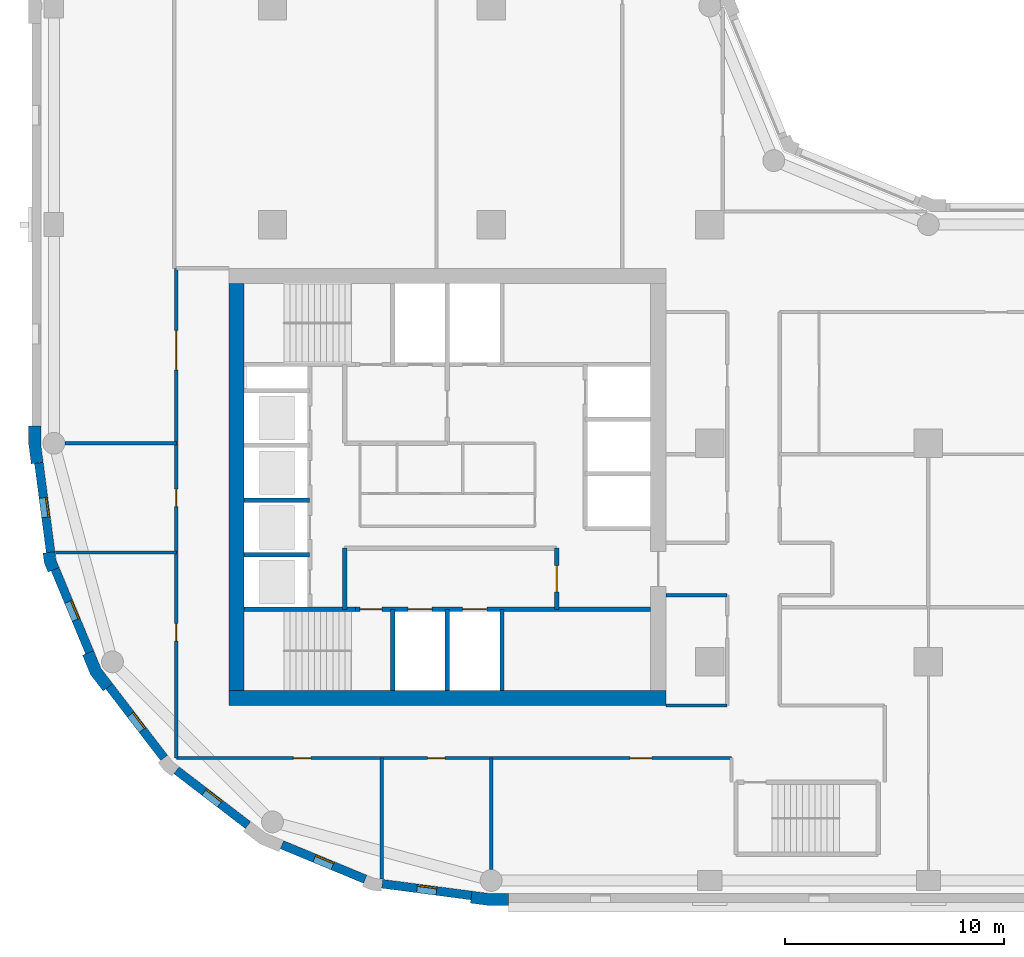
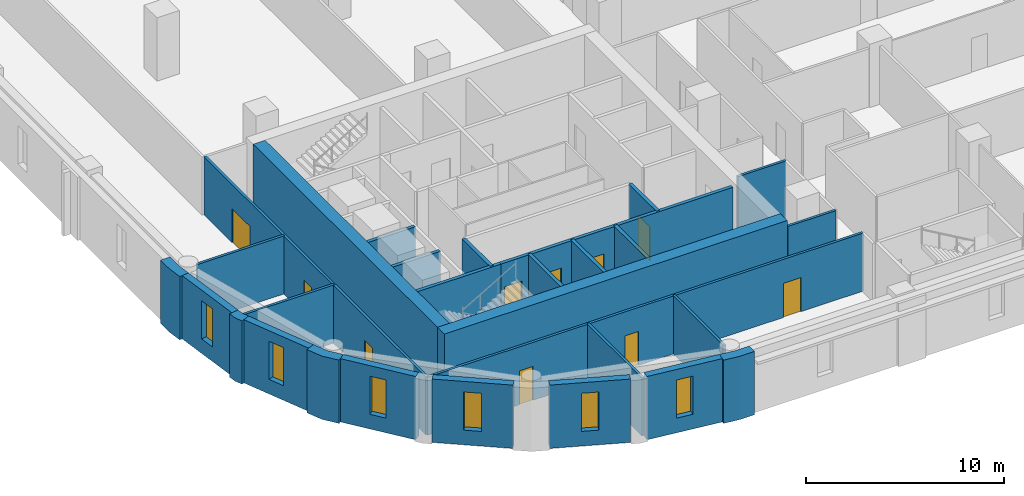
# One storey, part 2 of 9: 29 walls, 10 doors, 6 windows, 16 openings.
"""IFC4 building model written with IfcOpenShell, lengths in metres."""

from ifc_helpers import new_model, si_unit, direction, frame, frame_2d, origin, place, context, subcontext, project, spatial, polyline, rectangle, outline, extrude, material, layer, layer_set, type_object, element, fill, save


model = new_model("IFC4")

# Units and contexts
model_context = context("Model", 3, precision=1e-05, world=origin(), true_north=direction((0.0, 1.0)))
body_context = subcontext(model_context, "Body", "Model", "MODEL_VIEW")
ifc_project = project(units=[si_unit("LENGTHUNIT", "METRE"), si_unit("AREAUNIT", "SQUARE_METRE"), si_unit("VOLUMEUNIT", "CUBIC_METRE"), si_unit("PLANEANGLEUNIT", "RADIAN"), si_unit("MASSUNIT", "GRAM", prefix="KILO")], contexts=[model_context])

# Site, building, storey
site_placement = place(None, origin())
site = spatial("IfcSite", under=ifc_project, at=site_placement, CompositionType="ELEMENT")
building_placement = place(site_placement, origin())
building = spatial("IfcBuilding", under=site, at=building_placement, Name="Qaws Garden Tower", CompositionType="ELEMENT")
storey_placement = place(building_placement, frame((0.0, 0.0, 225.300048828125)))
storey = spatial("IfcBuildingStorey", under=building, at=storey_placement, Name="L55", CompositionType="ELEMENT", Elevation=225.300048828125)

# Wall, opening, window
ifc_material_1 = material(Name="Clay facing brick masonry", Category="masonry")
ifc_layer_1 = layer(ifc_material_1, 0.39990234375)
ifc_layer_set_1 = layer_set([ifc_layer_1], Name="Clay facing brick masonry")
wall_type_1 = type_object("IfcWallType", Name="Brick infill wall 400", PredefinedType="SOLIDWALL", material=ifc_layer_set_1)
wall_1_placement = place(storey_placement, frame((-0.688720703125, 19.102294921875, 0.0), z_axis=(0.0, 0.0, 1.0), x_axis=(0.130514280502, -0.991446429508, 0.0)))
wall_1 = element("IfcWall", 1, at=wall_1_placement, inside=storey, type_object=wall_type_1, Name="E-L55-infill-25", PredefinedType="SOLIDWALL", context=body_context, shape_type="SweptSolid", body=[
    extrude(rectangle(XDim=4.120849609375, YDim=0.39990234375, at=frame_2d((2.060546875, 0.0))), origin(), (0.0, 0.0, 1.0), 3.89990234375),
])
opening_1_placement = place(wall_1_placement, frame((1.610595703125, 0.0, 0.89990234375)))
opening_1 = element("IfcOpeningElement", 2, at=opening_1_placement, cuts=wall_1, Name="Opening W09", PredefinedType="OPENING", context=body_context, shape_type="SweptSolid", body=[
    extrude(rectangle(XDim=0.89990234375, YDim=2.35009765625, at=frame_2d((0.449951171875, 1.175048828125))), frame((0.0, 0.2099609375, 0.0), z_axis=(0.0, -1.0, 0.0), x_axis=(1.0, 0.0, 0.0)), (0.0, 0.0, 1.0), 0.419921875),
])
ifc_material_2 = material(Name="Aluminium framed window, clear glazing", Category="aluminium")
window_type = type_object("IfcWindowType", Name="Slit window 900 x 2350", PartitioningType="SINGLE_PANEL", PredefinedType="WINDOW", material=ifc_material_2)
window_1_placement = place(opening_1_placement, origin())
window_1 = element("IfcWindow", 3, at=window_1_placement, inside=storey, type_object=window_type, Name="E-L55-window-25-0", OverallHeight=2.35009765625, OverallWidth=0.89990234375, PartitioningType="SINGLE_PANEL", PredefinedType="WINDOW", context=body_context, shape_type="SweptSolid", body=[
    extrude(rectangle(XDim=0.89990234375, YDim=2.35009765625, at=frame_2d((0.449951171875, 1.175048828125))), frame((0.0, 0.159912109375, 0.0), z_axis=(0.0, -1.0, 0.0), x_axis=(1.0, 0.0, 0.0)), (0.0, 0.0, 1.0), 0.06005859375),
])
fill(opening_1, window_1)

wall_2_placement = place(storey_placement, frame((0.05712890625, 14.240234375, 0.0), z_axis=(0.0, 0.0, 1.0), x_axis=(0.382721546029, -0.923863744394, 0.0)))
wall_2 = element("IfcWall", 4, at=wall_2_placement, inside=storey, type_object=wall_type_1, Name="E-L55-infill-26", PredefinedType="SOLIDWALL", context=body_context, shape_type="SweptSolid", body=[
    extrude(rectangle(XDim=4.120849609375, YDim=0.39990234375, at=frame_2d((2.060546875, 0.0))), origin(), (0.0, 0.0, 1.0), 3.89990234375),
])
opening_2_placement = place(wall_2_placement, frame((1.610595703125, 0.0, 0.89990234375)))
opening_2 = element("IfcOpeningElement", 5, at=opening_2_placement, cuts=wall_2, Name="Opening W09", PredefinedType="OPENING", context=body_context, shape_type="SweptSolid", body=[
    extrude(rectangle(XDim=0.89990234375, YDim=2.35009765625, at=frame_2d((0.449951171875, 1.175048828125))), frame((0.0, 0.2099609375, 0.0), z_axis=(0.0, -1.0, 0.0), x_axis=(1.0, 0.0, 0.0)), (0.0, 0.0, 1.0), 0.419921875),
])
window_2_placement = place(opening_2_placement, origin())
window_2 = element("IfcWindow", 6, at=window_2_placement, inside=storey, type_object=window_type, Name="E-L55-window-26-0", OverallHeight=2.35009765625, OverallWidth=0.89990234375, PartitioningType="SINGLE_PANEL", PredefinedType="WINDOW", context=body_context, shape_type="SweptSolid", body=[
    extrude(rectangle(XDim=0.89990234375, YDim=2.35009765625, at=frame_2d((0.449951171875, 1.175048828125))), frame((0.0, 0.159912109375, 0.0), z_axis=(0.0, -1.0, 0.0), x_axis=(1.0, 0.0, 0.0)), (0.0, 0.0, 1.0), 0.06005859375),
])
fill(opening_2, window_2)

wall_3_placement = place(storey_placement, frame((2.53173828125, 8.87841796875, 0.0), z_axis=(0.0, 0.0, 1.0), x_axis=(0.608759824817, -0.793354571229, 0.0)))
wall_3 = element("IfcWall", 7, at=wall_3_placement, inside=storey, type_object=wall_type_1, Name="E-L55-infill-27", PredefinedType="SOLIDWALL", context=body_context, shape_type="SweptSolid", body=[
    extrude(rectangle(XDim=4.12109375, YDim=0.39990234375, at=frame_2d((2.060546875, 0.0))), origin(), (0.0, 0.0, 1.0), 3.89990234375),
])
opening_3_placement = place(wall_3_placement, frame((1.610595703125, 0.0, 0.89990234375)))
opening_3 = element("IfcOpeningElement", 8, at=opening_3_placement, cuts=wall_3, Name="Opening W09", PredefinedType="OPENING", context=body_context, shape_type="SweptSolid", body=[
    extrude(rectangle(XDim=0.89990234375, YDim=2.35009765625, at=frame_2d((0.449951171875, 1.175048828125))), frame((0.0, 0.2099609375, 0.0), z_axis=(0.0, -1.0, 0.0), x_axis=(1.0, 0.0, 0.0)), (0.0, 0.0, 1.0), 0.419921875),
])
window_3_placement = place(opening_3_placement, origin())
window_3 = element("IfcWindow", 9, at=window_3_placement, inside=storey, type_object=window_type, Name="E-L55-window-27-0", OverallHeight=2.35009765625, OverallWidth=0.89990234375, PartitioningType="SINGLE_PANEL", PredefinedType="WINDOW", context=body_context, shape_type="SweptSolid", body=[
    extrude(rectangle(XDim=0.89990234375, YDim=2.35009765625, at=frame_2d((0.449951171875, 1.175048828125))), frame((0.0, 0.159912109375, 0.0), z_axis=(0.0, -1.0, 0.0), x_axis=(1.0, 0.0, 0.0)), (0.0, 0.0, 1.0), 0.06005859375),
])
fill(opening_3, window_3)

wall_4_placement = place(storey_placement, frame((5.60888671875, 5.04052734375, 0.0), z_axis=(0.0, 0.0, 1.0), x_axis=(0.793354571229, -0.608759824817, 0.0)))
wall_4 = element("IfcWall", 10, at=wall_4_placement, inside=storey, type_object=wall_type_1, Name="E-L55-infill-28", PredefinedType="SOLIDWALL", context=body_context, shape_type="SweptSolid", body=[
    extrude(rectangle(XDim=4.12109375, YDim=0.39990234375, at=frame_2d((2.060546875, 0.0))), origin(), (0.0, 0.0, 1.0), 3.89990234375),
])
opening_4_placement = place(wall_4_placement, frame((1.610595703125, 0.0, 0.89990234375)))
opening_4 = element("IfcOpeningElement", 11, at=opening_4_placement, cuts=wall_4, Name="Opening W09", PredefinedType="OPENING", context=body_context, shape_type="SweptSolid", body=[
    extrude(rectangle(XDim=0.89990234375, YDim=2.35009765625, at=frame_2d((0.449951171875, 1.175048828125))), frame((0.0, 0.2099609375, 0.0), z_axis=(0.0, -1.0, 0.0), x_axis=(1.0, 0.0, 0.0)), (0.0, 0.0, 1.0), 0.419921875),
])
window_4_placement = place(opening_4_placement, origin())
window_4 = element("IfcWindow", 12, at=window_4_placement, inside=storey, type_object=window_type, Name="E-L55-window-28-0", OverallHeight=2.35009765625, OverallWidth=0.89990234375, PartitioningType="SINGLE_PANEL", PredefinedType="WINDOW", context=body_context, shape_type="SweptSolid", body=[
    extrude(rectangle(XDim=0.89990234375, YDim=2.35009765625, at=frame_2d((0.449951171875, 1.175048828125))), frame((0.0, 0.159912109375, 0.0), z_axis=(0.0, -1.0, 0.0), x_axis=(1.0, 0.0, 0.0)), (0.0, 0.0, 1.0), 0.06005859375),
])
fill(opening_4, window_4)

wall_5_placement = place(storey_placement, frame((10.43310546875, 1.63427734375, 0.0), z_axis=(0.0, 0.0, 1.0), x_axis=(0.923863744394, -0.382721546029, 0.0)))
wall_5 = element("IfcWall", 13, at=wall_5_placement, inside=storey, type_object=wall_type_1, Name="E-L55-infill-29", PredefinedType="SOLIDWALL", context=body_context, shape_type="SweptSolid", body=[
    extrude(rectangle(XDim=4.120849609375, YDim=0.39990234375, at=frame_2d((2.060546875, 0.0))), origin(), (0.0, 0.0, 1.0), 3.89990234375),
])
opening_5_placement = place(wall_5_placement, frame((1.610595703125, 0.0, 0.89990234375)))
opening_5 = element("IfcOpeningElement", 14, at=opening_5_placement, cuts=wall_5, Name="Opening W09", PredefinedType="OPENING", context=body_context, shape_type="SweptSolid", body=[
    extrude(rectangle(XDim=0.89990234375, YDim=2.35009765625, at=frame_2d((0.449951171875, 1.175048828125))), frame((0.0, 0.2099609375, 0.0), z_axis=(0.0, -1.0, 0.0), x_axis=(1.0, 0.0, 0.0)), (0.0, 0.0, 1.0), 0.419921875),
])
window_5_placement = place(opening_5_placement, origin())
window_5 = element("IfcWindow", 15, at=window_5_placement, inside=storey, type_object=window_type, Name="E-L55-window-29-0", OverallHeight=2.35009765625, OverallWidth=0.89990234375, PartitioningType="SINGLE_PANEL", PredefinedType="WINDOW", context=body_context, shape_type="SweptSolid", body=[
    extrude(rectangle(XDim=0.89990234375, YDim=2.35009765625, at=frame_2d((0.449951171875, 1.175048828125))), frame((0.0, 0.159912109375, 0.0), z_axis=(0.0, -1.0, 0.0), x_axis=(1.0, 0.0, 0.0)), (0.0, 0.0, 1.0), 0.06005859375),
])
fill(opening_5, window_5)

wall_6_placement = place(storey_placement, frame((15.0166015625, -0.15087890625, 0.0), z_axis=(0.0, 0.0, 1.0), x_axis=(0.991446429508, -0.130514280502, 0.0)))
wall_6 = element("IfcWall", 16, at=wall_6_placement, inside=storey, type_object=wall_type_1, Name="E-L55-infill-30", PredefinedType="SOLIDWALL", context=body_context, shape_type="SweptSolid", body=[
    extrude(rectangle(XDim=4.120849609375, YDim=0.39990234375, at=frame_2d((2.060546875, 0.0))), origin(), (0.0, 0.0, 1.0), 3.89990234375),
])
opening_6_placement = place(wall_6_placement, frame((1.610595703125, 0.0, 0.89990234375)))
opening_6 = element("IfcOpeningElement", 17, at=opening_6_placement, cuts=wall_6, Name="Opening W09", PredefinedType="OPENING", context=body_context, shape_type="SweptSolid", body=[
    extrude(rectangle(XDim=0.89990234375, YDim=2.35009765625, at=frame_2d((0.449951171875, 1.175048828125))), frame((0.0, 0.2099609375, 0.0), z_axis=(0.0, -1.0, 0.0), x_axis=(1.0, 0.0, 0.0)), (0.0, 0.0, 1.0), 0.419921875),
])
window_6_placement = place(opening_6_placement, origin())
window_6 = element("IfcWindow", 18, at=window_6_placement, inside=storey, type_object=window_type, Name="E-L55-window-30-0", OverallHeight=2.35009765625, OverallWidth=0.89990234375, PartitioningType="SINGLE_PANEL", PredefinedType="WINDOW", context=body_context, shape_type="SweptSolid", body=[
    extrude(rectangle(XDim=0.89990234375, YDim=2.35009765625, at=frame_2d((0.449951171875, 1.175048828125))), frame((0.0, 0.159912109375, 0.0), z_axis=(0.0, -1.0, 0.0), x_axis=(1.0, 0.0, 0.0)), (0.0, 0.0, 1.0), 0.06005859375),
])
fill(opening_6, window_6)

# Walls
ifc_material_3 = material(Name="Clay facing brick masonry", Category="masonry")
ifc_layer_2 = layer(ifc_material_3, 0.550048828125)
ifc_layer_set_2 = layer_set([ifc_layer_2], Name="Clay facing brick masonry")
wall_type_2 = type_object("IfcWallType", Name="Brick kink pier 550 x 600", PredefinedType="SOLIDWALL", material=ifc_layer_set_2)
placement = place(storey_placement, origin())
element("IfcWall", 19, at=placement, inside=storey, type_object=wall_type_2, Name="E-L55-pier-26", PredefinedType="SOLIDWALL", context=body_context, shape_type="SweptSolid", body=[
    extrude(outline(polyline([(-0.34912109375, 14.990478515625), (-0.497802734375, 14.970947265625), (-0.43896484375, 14.5234375), (-0.26611328125, 14.1064453125), (-0.127685546875, 14.163818359375), (0.241943359375, 14.31689453125), (0.096923828125, 14.6669921875), (0.04736328125, 15.042724609375), (-0.34912109375, 14.990478515625)])), origin(), (0.0, 0.0, 1.0), 3.89990234375),
])
ifc_material_4 = material(Name="Clay facing brick masonry", Category="masonry")
ifc_layer_3 = layer(ifc_material_4, 0.550048828125)
ifc_layer_set_3 = layer_set([ifc_layer_3], Name="Clay facing brick masonry")
wall_type_3 = type_object("IfcWallType", Name="Brick pier 550 x 1600", PredefinedType="SOLIDWALL", material=ifc_layer_set_3)
element("IfcWall", 20, at=placement, inside=storey, type_object=wall_type_3, Name="E-L55-pier-00", PredefinedType="SOLIDWALL", context=body_context, shape_type="SweptSolid", body=[
    extrude(outline(polyline([(19.076416015625, -0.886962890625), (19.056640625, -1.03564453125), (19.924560546875, -1.14990234375), (20.800048828125, -1.14990234375), (20.800048828125, -1.0), (20.800048828125, -0.60009765625), (19.960693359375, -0.60009765625), (19.12841796875, -0.490478515625), (19.076416015625, -0.886962890625)])), origin(), (0.0, 0.0, 1.0), 3.89990234375),
])
element("IfcWall", 21, at=placement, inside=storey, type_object=wall_type_3, Name="E-L55-pier-25", PredefinedType="SOLIDWALL", context=body_context, shape_type="SweptSolid", body=[
    extrude(outline(polyline([(-1.0, 20.800048828125), (-1.14990234375, 20.800048828125), (-1.14990234375, 19.924560546875), (-1.03564453125, 19.056640625), (-0.886962890625, 19.076416015625), (-0.490478515625, 19.12841796875), (-0.60009765625, 19.960693359375), (-0.60009765625, 20.800048828125), (-1.0, 20.800048828125)])), origin(), (0.0, 0.0, 1.0), 3.89990234375),
])
element("IfcWall", 22, at=placement, inside=storey, type_object=wall_type_3, Name="E-L55-pier-27", PredefinedType="SOLIDWALL", context=body_context, shape_type="SweptSolid", body=[
    extrude(outline(polyline([(1.449462890625, 10.3564453125), (1.310791015625, 10.299072265625), (1.675048828125, 9.419921875), (2.254150390625, 8.665283203125), (2.373046875, 8.756591796875), (2.6904296875, 9.0), (2.1552734375, 9.697509765625), (1.819091796875, 10.509521484375), (1.449462890625, 10.3564453125)])), origin(), (0.0, 0.0, 1.0), 3.89990234375),
])
ifc_material_5 = material(Name="Concrete C70", Category="concrete")
ifc_layer_4 = layer(ifc_material_5, 0.199951171875)
ifc_layer_set_4 = layer_set([ifc_layer_4], Name="Concrete C70")
wall_type_4 = type_object("IfcWallType", Name="Core shaft wall 200 C70", PredefinedType="SHEAR", material=ifc_layer_set_4)
wall_11_placement = place(storey_placement, frame((8.699951171875, 12.39990234375, 0.0), z_axis=(0.0, 0.0, 1.0), x_axis=(1.0, 0.0, 0.0)))
element("IfcWall", 23, at=wall_11_placement, inside=storey, type_object=wall_type_4, Name="Shaft wall", PredefinedType="SHEAR", context=body_context, shape_type="SweptSolid", body=[
    extrude(rectangle(XDim=5.10009765625, YDim=0.199951171875, at=frame_2d((2.550048828125, 0.0))), origin(), (0.0, 0.0, 1.0), 3.579833984375),
])

# Wall, openings, doors
wall_12_placement = place(storey_placement, frame((13.800048828125, 12.39990234375, 0.0), z_axis=(0.0, 0.0, 1.0), x_axis=(1.0, 0.0, 0.0)))
wall_12 = element("IfcWall", 24, at=wall_12_placement, inside=storey, type_object=wall_type_4, Name="Shaft wall", PredefinedType="SHEAR", context=body_context, shape_type="SweptSolid", body=[
    extrude(rectangle(XDim=13.5, YDim=0.199951171875, at=frame_2d((6.75, 0.0))), origin(), (0.0, 0.0, 1.0), 3.579833984375),
])
opening_7_placement = place(wall_12_placement, frame((2.39990234375, 0.0, 0.0)))
opening_7 = element("IfcOpeningElement", 25, at=opening_7_placement, cuts=wall_12, Name="Opening LD06", PredefinedType="OPENING", context=body_context, shape_type="SweptSolid", body=[
    extrude(rectangle(XDim=1.10009765625, YDim=2.10009765625, at=frame_2d((0.550048828125, 1.050048828125))), frame((0.0, 0.10986328125, 0.0), z_axis=(0.0, -1.0, 0.0), x_axis=(1.0, 0.0, 0.0)), (0.0, 0.0, 1.0), 0.219970703125),
])
opening_8_placement = place(wall_12_placement, frame((4.89990234375, 0.0, 0.0)))
opening_8 = element("IfcOpeningElement", 26, at=opening_8_placement, cuts=wall_12, Name="Opening LD07", PredefinedType="OPENING", context=body_context, shape_type="SweptSolid", body=[
    extrude(rectangle(XDim=1.10009765625, YDim=2.10009765625, at=frame_2d((0.550048828125, 1.050048828125))), frame((0.0, 0.10986328125, 0.0), z_axis=(0.0, -1.0, 0.0), x_axis=(1.0, 0.0, 0.0)), (0.0, 0.0, 1.0), 0.219970703125),
])
opening_9_placement = place(wall_12_placement, frame((0.199951171875, 0.0, 0.0)))
opening_9 = element("IfcOpeningElement", 27, at=opening_9_placement, cuts=wall_12, Name="Opening SD10", PredefinedType="OPENING", context=body_context, shape_type="SweptSolid", body=[
    extrude(rectangle(XDim=1.0, YDim=2.10009765625, at=frame_2d((0.5, 1.050048828125))), frame((0.0, 0.10986328125, 0.0), z_axis=(0.0, -1.0, 0.0), x_axis=(1.0, 0.0, 0.0)), (0.0, 0.0, 1.0), 0.219970703125),
])
ifc_material_6 = material(Name="Steel S235", Category="steel")
door_type_1 = type_object("IfcDoorType", Name="Landing door 1100x2100", OperationType="DOUBLE_DOOR_SLIDING", PredefinedType="DOOR", material=ifc_material_6)
door_1_placement = place(opening_7_placement, origin())
door_1 = element("IfcDoor", 28, at=door_1_placement, inside=storey, type_object=door_type_1, Name="Lift FF1 landing door", OperationType="DOUBLE_DOOR_SLIDING", OverallHeight=2.10009765625, OverallWidth=1.10009765625, PredefinedType="DOOR", context=body_context, shape_type="SweptSolid", body=[
    extrude(rectangle(XDim=1.10009765625, YDim=2.10009765625, at=frame_2d((0.550048828125, 1.050048828125))), frame((0.0, 0.02490234375, 0.0), z_axis=(0.0, -1.0, 0.0), x_axis=(1.0, 0.0, 0.0)), (0.0, 0.0, 1.0), 0.050048828125),
])
fill(opening_7, door_1)
door_2_placement = place(opening_8_placement, origin())
door_2 = element("IfcDoor", 29, at=door_2_placement, inside=storey, type_object=door_type_1, Name="Lift FF2 landing door", OperationType="DOUBLE_DOOR_SLIDING", OverallHeight=2.10009765625, OverallWidth=1.10009765625, PredefinedType="DOOR", context=body_context, shape_type="SweptSolid", body=[
    extrude(rectangle(XDim=1.10009765625, YDim=2.10009765625, at=frame_2d((0.550048828125, 1.050048828125))), frame((0.0, 0.02490234375, 0.0), z_axis=(0.0, -1.0, 0.0), x_axis=(1.0, 0.0, 0.0)), (0.0, 0.0, 1.0), 0.050048828125),
])
fill(opening_8, door_2)
ifc_material_7 = material(Name="Steel S235", Category="steel")
door_type_2 = type_object("IfcDoorType", Name="Stair door 1000x2100", OperationType="SINGLE_SWING_RIGHT", PredefinedType="DOOR", material=ifc_material_7)
door_3_placement = place(opening_9_placement, frame((1.0, 0.0, 0.0), z_axis=(0.0, 0.0, 1.0), x_axis=(-1.0, 0.0, 0.0)))
door_3 = element("IfcDoor", 30, at=door_3_placement, inside=storey, type_object=door_type_2, Name="Stair 1 door", OperationType="SINGLE_SWING_LEFT", OverallHeight=2.10009765625, OverallWidth=1.0, PredefinedType="DOOR", context=body_context, shape_type="SweptSolid", body=[
    extrude(rectangle(XDim=1.0, YDim=2.10009765625, at=frame_2d((0.5, 1.050048828125))), frame((0.0, 0.02490234375, 0.0), z_axis=(0.0, -1.0, 0.0), x_axis=(1.0, 0.0, 0.0)), (0.0, 0.0, 1.0), 0.050048828125),
])
fill(opening_9, door_3)

# Walls
for number, where, z_axis, x_axis, name in (
    (31, (8.699951171875, 14.89990234375, 0.0), (0.0, 0.0, 1.0), (1.0, 0.0, 0.0), "Shaft wall"),
    (32, (8.699951171875, 17.39990234375, 0.0), (0.0, 0.0, 1.0), (1.0, 0.0, 0.0), "Shaft wall"),
):
    element("IfcWall", number, at=place(storey_placement, frame(where, z_axis=z_axis, x_axis=x_axis)), inside=storey, type_object=wall_type_4, Name=name, PredefinedType="SHEAR", context=body_context, shape_type="SweptSolid", body=[
        extrude(rectangle(XDim=3.0, YDim=0.199951171875, at=frame_2d((1.5, 0.0))), origin(), (0.0, 0.0, 1.0), 3.579833984375),
    ])
wall_13_placement = place(storey_placement, frame((13.300048828125, 12.39990234375, 0.0), z_axis=(0.0, 0.0, 1.0), x_axis=(0.0, 1.0, 0.0)))
element("IfcWall", 33, at=wall_13_placement, inside=storey, type_object=wall_type_4, Name="Shaft wall", PredefinedType="SHEAR", context=body_context, shape_type="SweptSolid", body=[
    extrude(rectangle(XDim=2.800048828125, YDim=0.199951171875, at=frame_2d((1.39990234375, 0.0))), origin(), (0.0, 0.0, 1.0), 3.579833984375),
])
for number, where, z_axis, x_axis, name in (
    (34, (15.5, 8.699951171875, 0.0), (0.0, 0.0, 1.0), (0.0, 1.0, 0.0), "Shaft wall"),
    (35, (18.0, 8.699951171875, 0.0), (0.0, 0.0, 1.0), (0.0, 1.0, 0.0), "Shaft wall"),
    (36, (20.5, 8.699951171875, 0.0), (0.0, 0.0, 1.0), (0.0, 1.0, 0.0), "Shaft wall"),
):
    element("IfcWall", number, at=place(storey_placement, frame(where, z_axis=z_axis, x_axis=x_axis)), inside=storey, type_object=wall_type_4, Name=name, PredefinedType="SHEAR", context=body_context, shape_type="SweptSolid", body=[
        extrude(rectangle(XDim=3.699951171875, YDim=0.199951171875, at=frame_2d((1.85009765625, 0.0))), origin(), (0.0, 0.0, 1.0), 3.579833984375),
    ])

# Wall, opening, door
wall_14_placement = place(storey_placement, frame((23.0, 12.39990234375, 0.0), z_axis=(0.0, 0.0, 1.0), x_axis=(0.0, 1.0, 0.0)))
wall_14 = element("IfcWall", 37, at=wall_14_placement, inside=storey, type_object=wall_type_4, Name="Shaft wall", PredefinedType="SHEAR", context=body_context, shape_type="SweptSolid", body=[
    extrude(rectangle(XDim=2.800048828125, YDim=0.199951171875, at=frame_2d((1.39990234375, 0.0))), origin(), (0.0, 0.0, 1.0), 3.579833984375),
])
opening_10_placement = place(wall_14_placement, frame((0.800048828125, 0.0, 0.0)))
opening_10 = element("IfcOpeningElement", 38, at=opening_10_placement, cuts=wall_14, Name="Opening FD15", PredefinedType="OPENING", context=body_context, shape_type="SweptSolid", body=[
    extrude(rectangle(XDim=1.199951171875, YDim=2.10009765625, at=frame_2d((0.60009765625, 1.050048828125))), frame((0.0, 0.10986328125, 0.0), z_axis=(0.0, -1.0, 0.0), x_axis=(1.0, 0.0, 0.0)), (0.0, 0.0, 1.0), 0.219970703125),
])
ifc_material_8 = material(Name="Steel S235", Category="steel")
door_type_3 = type_object("IfcDoorType", Name="Lobby door 1200x2100", OperationType="DOUBLE_DOOR_SINGLE_SWING", PredefinedType="DOOR", material=ifc_material_8)
door_4_placement = place(opening_10_placement, origin())
door_4 = element("IfcDoor", 39, at=door_4_placement, inside=storey, type_object=door_type_3, Name="Fire-fighting lobby door", OperationType="DOUBLE_DOOR_SINGLE_SWING", OverallHeight=2.10009765625, OverallWidth=1.199951171875, PredefinedType="DOOR", context=body_context, shape_type="SweptSolid", body=[
    extrude(rectangle(XDim=1.199951171875, YDim=2.10009765625, at=frame_2d((0.60009765625, 1.050048828125))), frame((0.0, 0.02490234375, 0.0), z_axis=(0.0, -1.0, 0.0), x_axis=(1.0, 0.0, 0.0)), (0.0, 0.0, 1.0), 0.050048828125),
])
fill(opening_10, door_4)

# Walls
ifc_material_9 = material(Name="Concrete C70", Category="concrete")
ifc_layer_5 = layer(ifc_material_9, 0.699951171875)
ifc_layer_set_5 = layer_set([ifc_layer_5], Name="Concrete C70")
wall_type_5 = type_object("IfcWallType", Name="Core wall 700 C70", PredefinedType="SHEAR", material=ifc_layer_set_5)
wall_15_placement = place(storey_placement, frame((8.0, 8.35009765625, 0.0), z_axis=(0.0, 0.0, 1.0), x_axis=(1.0, 0.0, 0.0)))
element("IfcWall", 40, at=wall_15_placement, inside=storey, type_object=wall_type_5, Name="Core wall L55 south", PredefinedType="SHEAR", context=body_context, shape_type="SweptSolid", body=[
    extrude(rectangle(XDim=20.0, YDim=0.699951171875, at=frame_2d((10.0, 0.0))), origin(), (0.0, 0.0, 1.0), 3.89990234375),
])
wall_16_placement = place(storey_placement, frame((8.35009765625, 27.300048828125, 0.0), z_axis=(0.0, 0.0, 1.0), x_axis=(0.0, -1.0, 0.0)))
element("IfcWall", 41, at=wall_16_placement, inside=storey, type_object=wall_type_5, Name="Core wall L55 west", PredefinedType="SHEAR", context=body_context, shape_type="SweptSolid", body=[
    extrude(rectangle(XDim=18.60009765625, YDim=0.699951171875, at=frame_2d((9.300048828125, 0.0))), origin(), (0.0, 0.0, 1.0), 3.89990234375),
])

# Wall, openings, doors
ifc_material_10 = material(Name="Gypsum board partition")
ifc_layer_6 = layer(ifc_material_10, 0.14990234375)
ifc_layer_set_6 = layer_set([ifc_layer_6], Name="Gypsum board partition")
wall_type_6 = type_object("IfcWallType", Name="PARTITION 150 EI 60", PredefinedType="PARTITIONING", material=ifc_layer_set_6)
wall_17_placement = place(storey_placement, frame((5.60009765625, 5.60009765625, 0.0), z_axis=(0.0, 0.0, 1.0), x_axis=(0.0, 1.0, 0.0)))
wall_17 = element("IfcWall", 42, at=wall_17_placement, inside=storey, type_object=wall_type_6, Name="O-L55-wall-010", PredefinedType="PARTITIONING", context=body_context, shape_type="SweptSolid", body=[
    extrude(rectangle(XDim=22.39990234375, YDim=0.14990234375, at=frame_2d((11.199951171875, 0.0))), origin(), (0.0, 0.0, 1.0), 3.579833984375),
])
opening_11_placement = place(wall_17_placement, frame((5.35009765625, 0.0, 0.0)))
opening_11 = element("IfcOpeningElement", 43, at=opening_11_placement, cuts=wall_17, Name="Opening B901", PredefinedType="OPENING", context=body_context, shape_type="SweptSolid", body=[
    extrude(rectangle(XDim=0.800048828125, YDim=2.10009765625, at=frame_2d((0.39990234375, 1.050048828125))), frame((0.0, 0.0849609375, 0.0), z_axis=(0.0, -1.0, 0.0), x_axis=(1.0, 0.0, 0.0)), (0.0, 0.0, 1.0), 0.169921875),
])
opening_12_placement = place(wall_17_placement, frame((11.5, 0.0, 0.0)))
opening_12 = element("IfcOpeningElement", 44, at=opening_12_placement, cuts=wall_17, Name="Opening B902", PredefinedType="OPENING", context=body_context, shape_type="SweptSolid", body=[
    extrude(rectangle(XDim=0.800048828125, YDim=2.10009765625, at=frame_2d((0.39990234375, 1.050048828125))), frame((0.0, 0.0849609375, 0.0), z_axis=(0.0, -1.0, 0.0), x_axis=(1.0, 0.0, 0.0)), (0.0, 0.0, 1.0), 0.169921875),
])
opening_13_placement = place(wall_17_placement, frame((17.75, 0.0, 0.0)))
opening_13 = element("IfcOpeningElement", 45, at=opening_13_placement, cuts=wall_17, Name="Opening B907", PredefinedType="OPENING", context=body_context, shape_type="SweptSolid", body=[
    extrude(rectangle(XDim=1.800048828125, YDim=2.10009765625, at=frame_2d((0.89990234375, 1.050048828125))), frame((0.0, 0.0849609375, 0.0), z_axis=(0.0, -1.0, 0.0), x_axis=(1.0, 0.0, 0.0)), (0.0, 0.0, 1.0), 0.169921875),
])
ifc_material_11 = material(Name="Timber door leaf", Category="wood")
door_type_4 = type_object("IfcDoorType", Name="DOUBLE DOOR 1800 X 2100", OperationType="DOUBLE_DOOR_SINGLE_SWING", PredefinedType="DOOR", material=ifc_material_11)
door_5_placement = place(opening_13_placement, origin())
door_5 = element("IfcDoor", 46, at=door_5_placement, inside=storey, type_object=door_type_4, Name="O-L55-door-007", OperationType="DOUBLE_DOOR_SINGLE_SWING", OverallHeight=2.10009765625, OverallWidth=1.800048828125, PredefinedType="DOOR", context=body_context, shape_type="SweptSolid", body=[
    extrude(rectangle(XDim=1.800048828125, YDim=2.10009765625, at=frame_2d((0.89990234375, 1.050048828125))), frame((0.0, 0.02490234375, 0.0), z_axis=(0.0, -1.0, 0.0), x_axis=(1.0, 0.0, 0.0)), (0.0, 0.0, 1.0), 0.050048828125),
])
fill(opening_13, door_5)
ifc_material_12 = material(Name="Timber door leaf", Category="wood")
door_type_5 = type_object("IfcDoorType", Name="STORE DOOR 800 X 2100", OperationType="SINGLE_SWING_LEFT", PredefinedType="DOOR", material=ifc_material_12)
door_6_placement = place(opening_11_placement, origin())
door_6 = element("IfcDoor", 47, at=door_6_placement, inside=storey, type_object=door_type_5, Name="O-L55-door-001", OperationType="SINGLE_SWING_RIGHT", OverallHeight=2.10009765625, OverallWidth=0.800048828125, PredefinedType="DOOR", context=body_context, shape_type="SweptSolid", body=[
    extrude(rectangle(XDim=0.800048828125, YDim=2.10009765625, at=frame_2d((0.39990234375, 1.050048828125))), frame((0.0, 0.02490234375, 0.0), z_axis=(0.0, -1.0, 0.0), x_axis=(1.0, 0.0, 0.0)), (0.0, 0.0, 1.0), 0.050048828125),
])
fill(opening_11, door_6)
door_7_placement = place(opening_12_placement, origin())
door_7 = element("IfcDoor", 48, at=door_7_placement, inside=storey, type_object=door_type_5, Name="O-L55-door-002", OperationType="SINGLE_SWING_RIGHT", OverallHeight=2.10009765625, OverallWidth=0.800048828125, PredefinedType="DOOR", context=body_context, shape_type="SweptSolid", body=[
    extrude(rectangle(XDim=0.800048828125, YDim=2.10009765625, at=frame_2d((0.39990234375, 1.050048828125))), frame((0.0, 0.02490234375, 0.0), z_axis=(0.0, -1.0, 0.0), x_axis=(1.0, 0.0, 0.0)), (0.0, 0.0, 1.0), 0.050048828125),
])
fill(opening_12, door_7)

# Walls
wall_18_placement = place(storey_placement, frame((15.0, 0.06298828125, 0.0), z_axis=(0.0, 0.0, 1.0), x_axis=(0.0, 1.0, 0.0)))
element("IfcWall", 49, at=wall_18_placement, inside=storey, type_object=wall_type_6, Name="O-L55-wall-013", PredefinedType="PARTITIONING", context=body_context, shape_type="SweptSolid", body=[
    extrude(rectangle(XDim=5.537109375, YDim=0.14990234375, at=frame_2d((2.7685546875, 0.0))), origin(), (0.0, 0.0, 1.0), 3.579833984375),
])
wall_19_placement = place(storey_placement, frame((20.0, 0.5, 0.0), z_axis=(0.0, 0.0, 1.0), x_axis=(0.0, 1.0, 0.0)))
element("IfcWall", 50, at=wall_19_placement, inside=storey, type_object=wall_type_6, Name="O-L55-wall-016", PredefinedType="PARTITIONING", context=body_context, shape_type="SweptSolid", body=[
    extrude(rectangle(XDim=5.10009765625, YDim=0.14990234375, at=frame_2d((2.550048828125, 0.0))), origin(), (0.0, 0.0, 1.0), 3.579833984375),
])

# Wall, openings, doors
wall_20_placement = place(storey_placement, frame((5.60009765625, 5.60009765625, 0.0), z_axis=(0.0, 0.0, 1.0), x_axis=(1.0, 0.0, 0.0)))
wall_20 = element("IfcWall", 51, at=wall_20_placement, inside=storey, type_object=wall_type_6, Name="O-L55-wall-030", PredefinedType="PARTITIONING", context=body_context, shape_type="SweptSolid", body=[
    extrude(rectangle(XDim=25.39990234375, YDim=0.14990234375, at=frame_2d((12.699951171875, 0.0))), origin(), (0.0, 0.0, 1.0), 3.579833984375),
])
opening_14_placement = place(wall_20_placement, frame((20.75, 0.0, 0.0)))
opening_14 = element("IfcOpeningElement", 52, at=opening_14_placement, cuts=wall_20, Name="Opening B903", PredefinedType="OPENING", context=body_context, shape_type="SweptSolid", body=[
    extrude(rectangle(XDim=1.0, YDim=2.10009765625, at=frame_2d((0.5, 1.050048828125))), frame((0.0, 0.0849609375, 0.0), z_axis=(0.0, -1.0, 0.0), x_axis=(1.0, 0.0, 0.0)), (0.0, 0.0, 1.0), 0.169921875),
])
opening_15_placement = place(wall_20_placement, frame((5.35009765625, 0.0, 0.0)))
opening_15 = element("IfcOpeningElement", 53, at=opening_15_placement, cuts=wall_20, Name="Opening B909", PredefinedType="OPENING", context=body_context, shape_type="SweptSolid", body=[
    extrude(rectangle(XDim=0.800048828125, YDim=2.10009765625, at=frame_2d((0.39990234375, 1.050048828125))), frame((0.0, 0.0849609375, 0.0), z_axis=(0.0, -1.0, 0.0), x_axis=(1.0, 0.0, 0.0)), (0.0, 0.0, 1.0), 0.169921875),
])
opening_16_placement = place(wall_20_placement, frame((11.5, 0.0, 0.0)))
opening_16 = element("IfcOpeningElement", 54, at=opening_16_placement, cuts=wall_20, Name="Opening B913", PredefinedType="OPENING", context=body_context, shape_type="SweptSolid", body=[
    extrude(rectangle(XDim=0.800048828125, YDim=2.10009765625, at=frame_2d((0.39990234375, 1.050048828125))), frame((0.0, 0.0849609375, 0.0), z_axis=(0.0, -1.0, 0.0), x_axis=(1.0, 0.0, 0.0)), (0.0, 0.0, 1.0), 0.169921875),
])
door_8_placement = place(opening_15_placement, frame((0.800048828125, 0.0, 0.0), z_axis=(0.0, 0.0, 1.0), x_axis=(-1.0, 0.0, 0.0)))
door_8 = element("IfcDoor", 55, at=door_8_placement, inside=storey, type_object=door_type_5, Name="O-L55-door-009", OperationType="SINGLE_SWING_LEFT", OverallHeight=2.10009765625, OverallWidth=0.800048828125, PredefinedType="DOOR", context=body_context, shape_type="SweptSolid", body=[
    extrude(rectangle(XDim=0.800048828125, YDim=2.10009765625, at=frame_2d((0.39990234375, 1.050048828125))), frame((0.0, 0.02490234375, 0.0), z_axis=(0.0, -1.0, 0.0), x_axis=(1.0, 0.0, 0.0)), (0.0, 0.0, 1.0), 0.050048828125),
])
fill(opening_15, door_8)
door_9_placement = place(opening_16_placement, frame((0.800048828125, 0.0, 0.0), z_axis=(0.0, 0.0, 1.0), x_axis=(-1.0, 0.0, 0.0)))
door_9 = element("IfcDoor", 56, at=door_9_placement, inside=storey, type_object=door_type_5, Name="O-L55-door-013", OperationType="SINGLE_SWING_LEFT", OverallHeight=2.10009765625, OverallWidth=0.800048828125, PredefinedType="DOOR", context=body_context, shape_type="SweptSolid", body=[
    extrude(rectangle(XDim=0.800048828125, YDim=2.10009765625, at=frame_2d((0.39990234375, 1.050048828125))), frame((0.0, 0.02490234375, 0.0), z_axis=(0.0, -1.0, 0.0), x_axis=(1.0, 0.0, 0.0)), (0.0, 0.0, 1.0), 0.050048828125),
])
fill(opening_16, door_9)
ifc_material_13 = material(Name="Timber door leaf", Category="wood")
door_type_6 = type_object("IfcDoorType", Name="TENANCY ENTRANCE DOOR 1000 X 2100", OperationType="SINGLE_SWING_LEFT", PredefinedType="DOOR", material=ifc_material_13)
door_10_placement = place(opening_14_placement, frame((1.0, 0.0, 0.0), z_axis=(0.0, 0.0, 1.0), x_axis=(-1.0, 0.0, 0.0)))
door_10 = element("IfcDoor", 57, at=door_10_placement, inside=storey, type_object=door_type_6, Name="O-L55-door-003", OperationType="SINGLE_SWING_LEFT", OverallHeight=2.10009765625, OverallWidth=1.0, PredefinedType="DOOR", context=body_context, shape_type="SweptSolid", body=[
    extrude(rectangle(XDim=1.0, YDim=2.10009765625, at=frame_2d((0.5, 1.050048828125))), frame((0.0, 0.02490234375, 0.0), z_axis=(0.0, -1.0, 0.0), x_axis=(1.0, 0.0, 0.0)), (0.0, 0.0, 1.0), 0.050048828125),
])
fill(opening_14, door_10)

# Walls
for number, where, z_axis, x_axis, name in (
    (58, (28.0, 8.0, 0.0), (0.0, 0.0, 1.0), (1.0, 0.0, 0.0), "O-L55-wall-031"),
    (59, (28.0, 13.050048828125, 0.0), (0.0, 0.0, 1.0), (1.0, 0.0, 0.0), "O-L55-wall-034"),
):
    element("IfcWall", number, at=place(storey_placement, frame(where, z_axis=z_axis, x_axis=x_axis)), inside=storey, type_object=wall_type_6, Name=name, PredefinedType="PARTITIONING", context=body_context, shape_type="SweptSolid", body=[
        extrude(rectangle(XDim=2.799072265625, YDim=0.14990234375, at=frame_2d((1.3994140625, 0.0))), origin(), (0.0, 0.0, 1.0), 3.579833984375),
    ])
wall_21_placement = place(storey_placement, frame((0.06298828125, 15.0, 0.0), z_axis=(0.0, 0.0, 1.0), x_axis=(1.0, 0.0, 0.0)))
element("IfcWall", 60, at=wall_21_placement, inside=storey, type_object=wall_type_6, Name="O-L55-wall-036", PredefinedType="PARTITIONING", context=body_context, shape_type="SweptSolid", body=[
    extrude(rectangle(XDim=5.537109375, YDim=0.14990234375, at=frame_2d((2.7685546875, 0.0))), origin(), (0.0, 0.0, 1.0), 3.579833984375),
])
wall_22_placement = place(storey_placement, frame((0.5, 20.0, 0.0), z_axis=(0.0, 0.0, 1.0), x_axis=(1.0, 0.0, 0.0)))
element("IfcWall", 61, at=wall_22_placement, inside=storey, type_object=wall_type_6, Name="O-L55-wall-041", PredefinedType="PARTITIONING", context=body_context, shape_type="SweptSolid", body=[
    extrude(rectangle(XDim=5.10009765625, YDim=0.14990234375, at=frame_2d((2.550048828125, 0.0))), origin(), (0.0, 0.0, 1.0), 3.579833984375),
])

save(model, "model.ifc")
